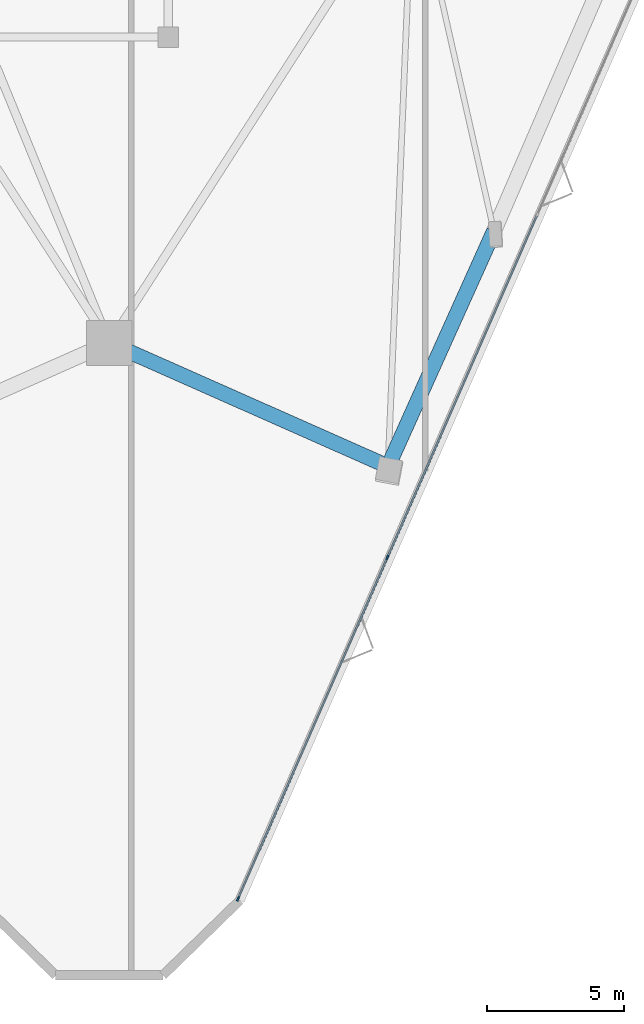
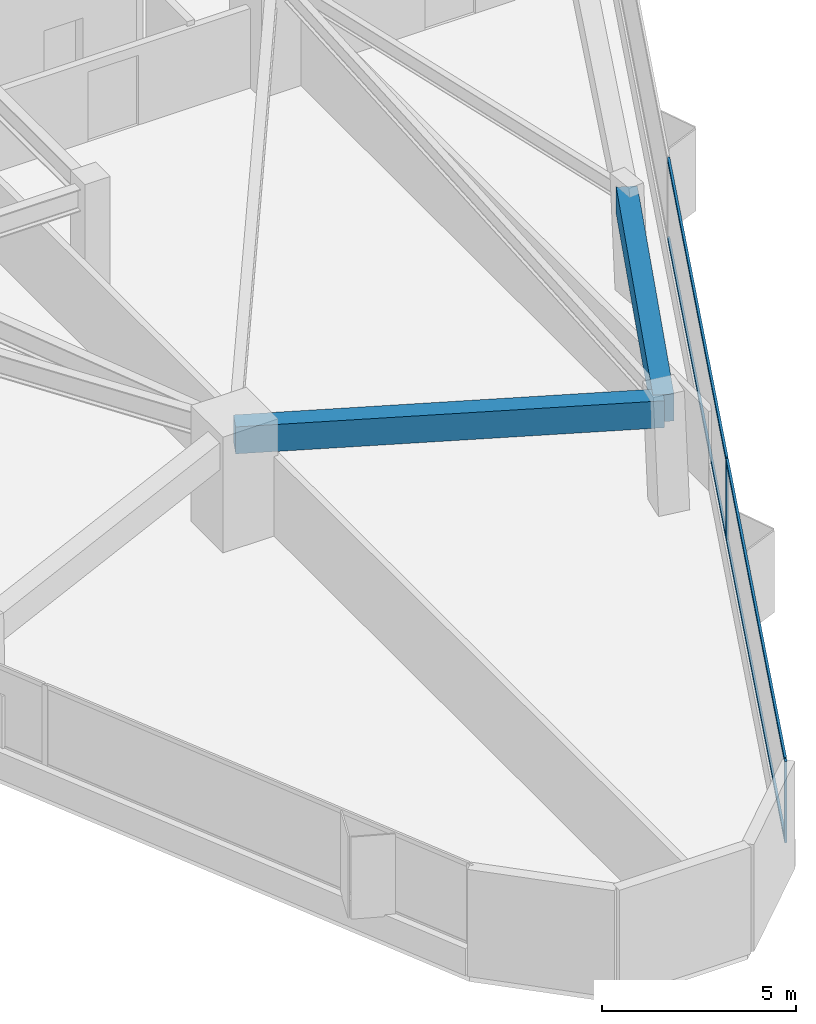
# One storey, part 4 of 20: 6 members, 2 beams, 1 element without a shape of its own.
"""IFC4 building model written with IfcOpenShell, lengths in metres."""

from ifc_helpers import new_model, si_unit, direction, frame, origin, origin_2d, place, context, subcontext, project, spatial, rectangle, extrude, material, layer, layer_set, material_profile, profile_set, type_object, element, aggregate, save


model = new_model("IFC4")

# Units and contexts
model_context = context("Model", 3, precision=1e-05, world=origin(), true_north=direction((0.0, 1.0)))
body_context = subcontext(model_context, "Body", "Model", "MODEL_VIEW")
ifc_project = project(units=[si_unit("LENGTHUNIT", "METRE"), si_unit("AREAUNIT", "SQUARE_METRE"), si_unit("VOLUMEUNIT", "CUBIC_METRE"), si_unit("PLANEANGLEUNIT", "RADIAN"), si_unit("MASSUNIT", "GRAM", prefix="KILO")], contexts=[model_context])

# Site, building, storey
site_placement = place(None, origin())
site = spatial("IfcSite", under=ifc_project, at=site_placement, CompositionType="ELEMENT")
building_placement = place(site_placement, origin())
building = spatial("IfcBuilding", under=site, at=building_placement, Name="Talyreon Biosciences Tower", CompositionType="ELEMENT")
storey_placement = place(building_placement, frame((0.0, 0.0, 75.0)))
storey = spatial("IfcBuildingStorey", under=building, at=storey_placement, Name="L19", CompositionType="ELEMENT", Elevation=75.0)

# Curtain wall, members
ifc_material_1 = material(Name="Thermally broken aluminium and low-E glazing", Category="aluminium")
ifc_layer = layer(ifc_material_1, 0.18994140625)
ifc_layer_set = layer_set([ifc_layer], Name="Thermally broken aluminium and low-E glazing")
curtain_wall_type = type_object("IfcCurtainWallType", Name="CurtainWall_Zone2Genomics", PredefinedType="NOTDEFINED", material=ifc_layer_set)
curtain_wall_placement = place(storey_placement, origin())
curtain_wall = element("IfcCurtainWall", 1, at=curtain_wall_placement, inside=storey, type_object=curtain_wall_type, Name="L19 Unitised Curtain Wall FCW-L19-08", PredefinedType="NOTDEFINED")
ifc_material_2 = material(Name="Anodised thermally broken aluminium", Category="aluminium")
ifc_material_profile_1 = material_profile(ifc_material_2, rectangle(XDim=0.06494140625, YDim=0.179931640625, at=origin_2d()), Name="ALUM MULLION 65x180")
ifc_profile_set_1 = profile_set([ifc_material_profile_1], Name="Anodised thermally broken aluminium")
member_type_1 = type_object("IfcMemberType", Name="CWMullion_65x180", PredefinedType="MULLION", material=ifc_profile_set_1)
member_1_placement = place(storey_placement, frame((76.16064453125, 33.8251953125, 0.81005859375), z_axis=(0.0, 0.0, 1.0), x_axis=(0.916151953082, -0.400831135099, 0.0)))
member_1 = element("IfcMember", 2, at=member_1_placement, type_object=member_type_1, Name="CW3 mullion 5", PredefinedType="MULLION", context=body_context, shape_type="SweptSolid", body=[
    extrude(rectangle(XDim=0.06494140625, YDim=0.179931640625, at=origin_2d()), origin(), (0.0, 0.0, 1.0), 2.56494140625),
])
member_2_placement = place(storey_placement, frame((70.70361328125, 21.3525390625, 0.81005859375), z_axis=(0.0, 0.0, 1.0), x_axis=(0.916151953082, -0.400831135099, 0.0)))
member_2 = element("IfcMember", 3, at=member_2_placement, type_object=member_type_1, Name="CW3 mullion 6", PredefinedType="MULLION", context=body_context, shape_type="SweptSolid", body=[
    extrude(rectangle(XDim=0.06494140625, YDim=0.179931640625, at=origin_2d()), origin(), (0.0, 0.0, 1.0), 2.56494140625),
])
ifc_material_profile_2 = material_profile(ifc_material_2, rectangle(XDim=0.06494140625, YDim=0.139892578125, at=origin_2d()), Name="ALUM TRANSOM 65x140")
ifc_profile_set_2 = profile_set([ifc_material_profile_2], Name="Anodised thermally broken aluminium")
member_type_2 = type_object("IfcMemberType", Name="CWTransom_65x140", PredefinedType="USERDEFINED", material=ifc_profile_set_2)
member_3_placement = place(storey_placement, frame((81.61767578125, 46.2978515625, 0.842529296875), z_axis=(-0.40082449197, -0.916154859528, 0.0), x_axis=(0.916154859528, -0.40082449197, 0.0)))
member_3 = element("IfcMember", 4, at=member_3_placement, type_object=member_type_2, Name="CW3 transom 4.1", ObjectType="TRANSOM", PredefinedType="USERDEFINED", context=body_context, shape_type="SweptSolid", body=[
    extrude(rectangle(XDim=0.06494140625, YDim=0.139892578125, at=origin_2d()), origin(), (0.0, 0.0, 1.0), 13.58154296875),
])
member_4_placement = place(storey_placement, frame((81.61767578125, 46.2978515625, 3.342529296875), z_axis=(-0.40082449197, -0.916154859528, 0.0), x_axis=(0.916154859528, -0.40082449197, 0.0)))
member_4 = element("IfcMember", 5, at=member_4_placement, type_object=member_type_2, Name="CW3 transom 4.2", ObjectType="TRANSOM", PredefinedType="USERDEFINED", context=body_context, shape_type="SweptSolid", body=[
    extrude(rectangle(XDim=0.06494140625, YDim=0.139892578125, at=origin_2d()), origin(), (0.0, 0.0, 1.0), 13.58154296875),
])
member_5_placement = place(storey_placement, frame((76.147705078125, 33.79541015625, 0.842529296875), z_axis=(-0.400830177027, -0.916152372253, 0.0), x_axis=(0.916152372253, -0.400830177027, 0.0)))
member_5 = element("IfcMember", 6, at=member_5_placement, type_object=member_type_2, Name="CW3 transom 5.1", ObjectType="TRANSOM", PredefinedType="USERDEFINED", context=body_context, shape_type="SweptSolid", body=[
    extrude(rectangle(XDim=0.06494140625, YDim=0.139892578125, at=origin_2d()), origin(), (0.0, 0.0, 1.0), 13.549072265625),
])
member_6_placement = place(storey_placement, frame((76.147705078125, 33.79541015625, 3.342529296875), z_axis=(-0.400830177027, -0.916152372253, 0.0), x_axis=(0.916152372253, -0.400830177027, 0.0)))
member_6 = element("IfcMember", 7, at=member_6_placement, type_object=member_type_2, Name="CW3 transom 5.2", ObjectType="TRANSOM", PredefinedType="USERDEFINED", context=body_context, shape_type="SweptSolid", body=[
    extrude(rectangle(XDim=0.06494140625, YDim=0.139892578125, at=origin_2d()), origin(), (0.0, 0.0, 1.0), 13.549072265625),
])
aggregate(curtain_wall, [member_1, member_2, member_3, member_4, member_5, member_6])

# Beams
ifc_material_3 = material(Name="Precast concrete C45/55", Category="concrete")
ifc_material_profile_3 = material_profile(ifc_material_3, rectangle(XDim=0.550048828125, YDim=0.85009765625, at=origin_2d()), Name="RCB 550x850")
ifc_profile_set_3 = profile_set([ifc_material_profile_3], Name="Precast concrete C45/55")
beam_type = type_object("IfcBeamType", Name="ExpressedSpandrel_550x850", PredefinedType="SPANDREL", material=ifc_profile_set_3)
beam_1_placement = place(storey_placement, frame((66.0, 41.6669921875, 2.949951171875), z_axis=(0.914189817881, -0.405286290025, 0.0), x_axis=(0.405286290025, 0.914189817881, 0.0)))
element("IfcBeam", 8, at=beam_1_placement, inside=storey, type_object=beam_type, Name="L19 Expressed Horizontal Concrete Spandrel 01", PredefinedType="SPANDREL", context=body_context, shape_type="SweptSolid", body=[
    extrude(rectangle(XDim=0.550048828125, YDim=0.85009765625, at=origin_2d()), origin(), (0.0, 0.0, 1.0), 11.139892578125),
])
beam_2_placement = place(storey_placement, frame((76.18408203125, 37.152099609375, 2.949951171875), z_axis=(0.410439002727, 0.911888055103, 0.0), x_axis=(-0.911888055103, 0.410439002727, 0.0)))
element("IfcBeam", 9, at=beam_2_placement, inside=storey, type_object=beam_type, Name="L19 Expressed Horizontal Concrete Spandrel 02", PredefinedType="SPANDREL", context=body_context, shape_type="SweptSolid", body=[
    extrude(rectangle(XDim=0.550048828125, YDim=0.85009765625, at=origin_2d()), origin(), (0.0, 0.0, 1.0), 9.423828125),
])

save(model, "model.ifc")
